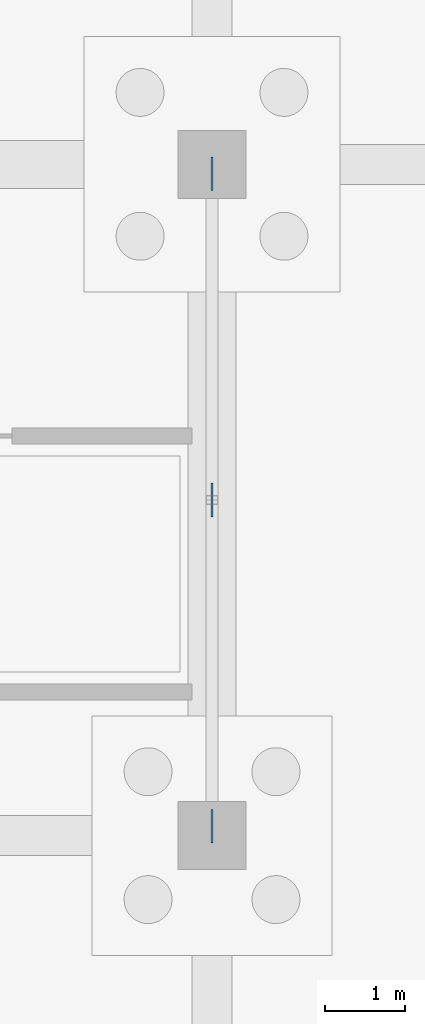
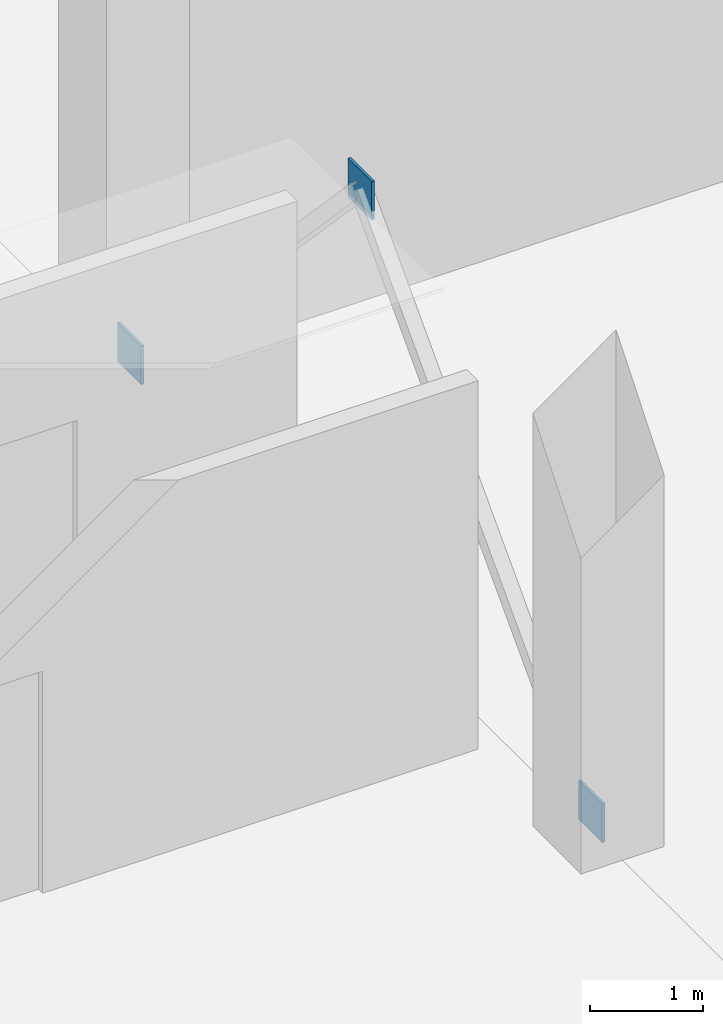
# One storey, part 96 of 136: 3 plates.
"""IFC4 building model written with IfcOpenShell, lengths in metres."""

from ifc_helpers import new_model, si_unit, direction, frame, origin, origin_2d, place, context, subcontext, project, spatial, rectangle, extrude, material, layer, layer_set, type_object, element, save


model = new_model("IFC4")

# Units and contexts
model_context = context("Model", 3, precision=1e-05, world=origin(), true_north=direction((0.0, 1.0)))
body_context = subcontext(model_context, "Body", "Model", "MODEL_VIEW")
ifc_project = project(units=[si_unit("LENGTHUNIT", "METRE"), si_unit("AREAUNIT", "SQUARE_METRE"), si_unit("VOLUMEUNIT", "CUBIC_METRE"), si_unit("PLANEANGLEUNIT", "RADIAN"), si_unit("MASSUNIT", "GRAM", prefix="KILO")], contexts=[model_context])

# Site, building, storey
site_placement = place(None, origin())
site = spatial("IfcSite", under=ifc_project, at=site_placement, CompositionType="ELEMENT")
building_placement = place(site_placement, origin())
building = spatial("IfcBuilding", under=site, at=building_placement, Name="Oolite Switchyard Hospital", CompositionType="ELEMENT")
storey_placement = place(building_placement, origin())
storey = spatial("IfcBuildingStorey", under=building, at=storey_placement, Name="L00", CompositionType="ELEMENT", Elevation=0.0)

# Plates
ifc_material = material(Name="Steel ASTM A572 Grade 50", Category="steel")
ifc_layer = layer(ifc_material, 0.028076171875)
ifc_layer_set = layer_set([ifc_layer], Name="PLT-GUS-420")
plate_type = type_object("IfcPlateType", Name="PLT-GUS-420", PredefinedType="SHEET", material=ifc_layer_set)
for number, where, z_axis, x_axis, name in (
    (1, (67.199951171875, 16.919921875, -0.010009765625), (0.0, 0.0, 1.0), (0.0, 1.0, 0.0), "L00 Brace Base Gusset Plate 130"),
    (2, (67.199951171875, 25.080078125, -0.010009765625), (0.0, 0.0, 1.0), (0.0, 1.0, 0.0), "L00 Brace Base Gusset Plate 131"),
    (3, (67.199951171875, 21.0, 4.239990234375), (0.0, 0.0, 1.0), (0.0, 1.0, 0.0), "L00 Gusset Connection Plate 132"),
):
    element("IfcPlate", number, at=place(storey_placement, frame(where, z_axis=z_axis, x_axis=x_axis)), inside=storey, type_object=plate_type, Name=name, PredefinedType="SHEET", context=body_context, shape_type="SweptSolid", body=[
        extrude(rectangle(XDim=0.419921875, YDim=0.028076171875, at=origin_2d()), origin(), (0.0, 0.0, 1.0), 0.419921875),
    ])

save(model, "model.ifc")
